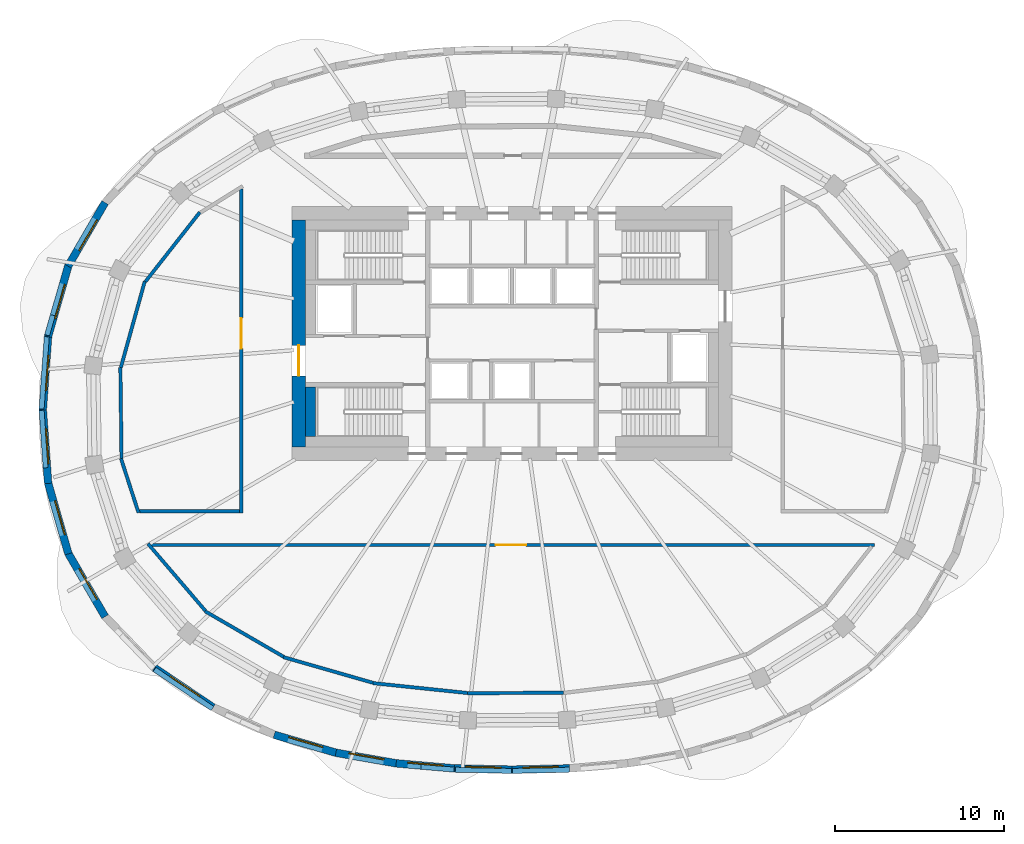
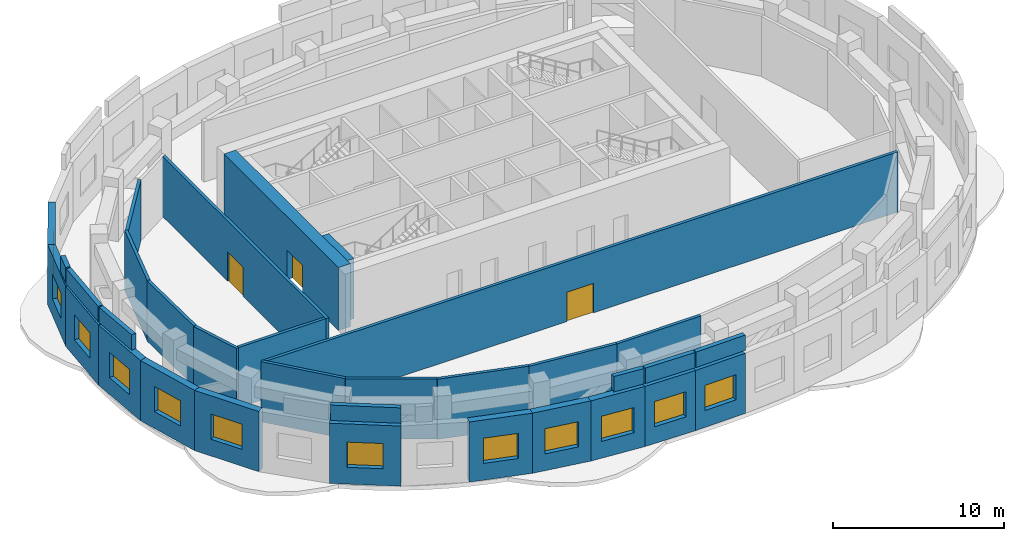
# One storey, part 4 of 9: 33 walls, 12 windows, 3 doors, 15 openings.
"""IFC4 building model written with IfcOpenShell, lengths in metres."""

import ifcopenshell
import ifcopenshell.guid

model = None  # the IFC model being written
_history = None  # IfcOwnerHistory: only IFC2X3 demands one
_inside = {}  # id of a spatial element -> (the spatial element, [elements in it])
_under = {}  # id of a project, library or spatial element -> (it, [spatial elements below it])
_declared = {}  # id of a project -> (the project, [libraries it declares])
_typed = {}  # id of a type object -> (the type object, [elements of that type])
_made_of = {}  # id of a material, layer set ... -> (it, [elements and type objects made of it])


def new_model(schema):
    """Start an empty IFC model of exactly this schema.

    Asked for "IFC4X3", IfcOpenShell would pick the latest addendum, in which some entities
    have other attributes; the version numbers below select the first issue.
    IFC2X3 requires an IfcOwnerHistory on every rooted entity: one is made here for all.
    """
    global model, _history
    if schema == "IFC4X3":
        model = ifcopenshell.file(schema_version=(4, 3, 0, 0))
    else:
        model = ifcopenshell.file(schema=schema)
    _inside.clear()
    _under.clear()
    _declared.clear()
    _typed.clear()
    _made_of.clear()
    _history = None
    if model.schema == "IFC2X3":
        org = make("IfcOrganization", Name="unknown")
        user = make(
            "IfcPersonAndOrganization",
            ThePerson=make("IfcPerson", FamilyName="unknown"),
            TheOrganization=org,
        )
        app = make(
            "IfcApplication",
            ApplicationDeveloper=org,
            Version="unknown",
            ApplicationFullName="unknown",
            ApplicationIdentifier="unknown",
        )
        _history = make(
            "IfcOwnerHistory",
            OwningUser=user,
            OwningApplication=app,
            ChangeAction="ADDED",
            CreationDate=0,
        )
    return model


def make(cls, **values):
    """One entity of the class cls with the attributes given. An attribute that is None is left unset."""
    return model.create_entity(
        cls, **{name: value for name, value in values.items() if value is not None}
    )


def rooted(cls, **values):
    """An entity with a GlobalId (a new one), such as an element, a storey or a relation."""
    return make(cls, GlobalId=ifcopenshell.guid.new(), OwnerHistory=_history, **values)


def si_unit(unit_type, name, prefix=None):
    """IfcSIUnit, for example si_unit("LENGTHUNIT", "METRE", prefix="MILLI")."""
    return make("IfcSIUnit", UnitType=unit_type, Prefix=prefix, Name=name)


def assignment(units):
    """IfcUnitAssignment: the units of a project."""
    return None if units is None else make("IfcUnitAssignment", Units=units)


def point(xyz):
    """IfcCartesianPoint."""
    return None if xyz is None else make("IfcCartesianPoint", Coordinates=xyz)


def direction(xyz):
    """IfcDirection."""
    return None if xyz is None else make("IfcDirection", DirectionRatios=xyz)


def frame(location, z_axis=None, x_axis=None):
    """IfcAxis2Placement3D, a coordinate frame: its origin and axes. An axis left out is left unset."""
    return make(
        "IfcAxis2Placement3D",
        Location=point(location),
        Axis=direction(z_axis),
        RefDirection=direction(x_axis),
    )


def frame_2d(location, x_axis=None):
    """IfcAxis2Placement2D, a coordinate frame in the plane: its origin and x axis."""
    return make(
        "IfcAxis2Placement2D", Location=point(location), RefDirection=direction(x_axis)
    )


def origin():
    """The frame at (0, 0, 0) with its axes left unset."""
    return frame((0.0, 0.0, 0.0))


def place(relative_to, where):
    """IfcLocalPlacement: puts the frame where relative to a parent placement (None: the world)."""
    return make(
        "IfcLocalPlacement", PlacementRelTo=relative_to, RelativePlacement=where
    )


def context(
    kind, dimensions, precision=None, world=None, true_north=None, identifier=None
):
    """IfcGeometricRepresentationContext, for example the 3D "Model" context."""
    return make(
        "IfcGeometricRepresentationContext",
        ContextIdentifier=identifier,
        ContextType=kind,
        CoordinateSpaceDimension=dimensions,
        Precision=precision,
        WorldCoordinateSystem=world,
        TrueNorth=true_north,
    )


def subcontext(parent, identifier, kind, view, scale=None):
    """IfcGeometricRepresentationSubContext, for example "Body" below "Model"."""
    return make(
        "IfcGeometricRepresentationSubContext",
        ContextIdentifier=identifier,
        ContextType=kind,
        ParentContext=parent,
        TargetScale=scale,
        TargetView=view,
    )


def project(units=None, contexts=None):
    """IfcProject with its units and contexts."""
    return rooted(
        "IfcProject",
        Name="project",
        RepresentationContexts=contexts,
        UnitsInContext=assignment(units),
    )


def spatial(cls, under=None, at=None, **own):
    """A site, building, storey or space (cls), placed at a placement, below another one or the project."""
    s = rooted(cls, ObjectPlacement=at, **own)
    if under is not None:
        _under.setdefault(under.id(), (under, []))[1].append(s)
    return s


def profile(cls, at=None, kind="AREA", **sizes):
    """A parametric profile (cls). Its sizes go by their IFC names, for example OverallWidth=200.0."""
    return make(cls, ProfileType=kind, Position=at, **sizes)


def rectangle(**sizes):
    """IfcRectangleProfileDef."""
    return profile("IfcRectangleProfileDef", **sizes)


def extrude(swept, where, along, depth):
    """IfcExtrudedAreaSolid: the profile swept, set in the frame where, extruded along a direction by depth."""
    return make(
        "IfcExtrudedAreaSolid",
        SweptArea=swept,
        Position=where,
        ExtrudedDirection=direction(along),
        Depth=depth,
    )


def shape(context_of_items, identifier, shape_type, items):
    """IfcShapeRepresentation: the items that make up one representation, for example the "Body"."""
    return make(
        "IfcShapeRepresentation",
        ContextOfItems=context_of_items,
        RepresentationIdentifier=identifier,
        RepresentationType=shape_type,
        Items=items,
    )


def material(Name=None, Category=None):
    """IfcMaterial."""
    return make("IfcMaterial", Name=Name, Category=Category)


def layer(
    of_material, thickness, ventilated=None, Name=None, Category=None, Priority=None
):
    """IfcMaterialLayer: one layer of a wall or slab, of a material (None: an air gap)."""
    return make(
        "IfcMaterialLayer",
        Material=of_material,
        LayerThickness=thickness,
        IsVentilated=ventilated,
        Name=Name,
        Category=Category,
        Priority=Priority,
    )


def layer_set(layers, Name=None):
    """IfcMaterialLayerSet."""
    return make("IfcMaterialLayerSet", MaterialLayers=layers, LayerSetName=Name)


def made_of(thing, what):
    """Note that an element or type object is made of a material, layer set ...; save() writes the relation."""
    if what is not None:
        _made_of.setdefault(what.id(), (what, []))[1].append(thing)
    return thing


def type_object(cls, material=None, **own):
    """A type object (cls), such as IfcWallType, which elements share."""
    return made_of(rooted(cls, **own), material)


def element(
    cls,
    number,
    at=None,
    inside=None,
    cuts=None,
    type_object=None,
    material=None,
    context=None,
    identifier="Body",
    shape_type=None,
    held_by="IfcProductDefinitionShape",
    body=None,
    shapes=None,
    **own,
):
    """One element of the class cls, such as IfcWall. Its Tag is "e" and its number.

    at: its placement. inside: the storey or other place that contains it. cuts: it is an
    opening in that element (IfcRelVoidsElement). A single representation is given by context,
    identifier, shape_type and body (its items); several are given by shapes. held_by: the class
    of the entity that holds the representations. save() writes the other relations.
    """
    e = rooted(cls, Tag="e%d" % number, ObjectPlacement=at, **own)
    if body is not None:
        shapes = [shape(context, identifier, shape_type, body)]
    if shapes is not None:
        e.Representation = make(held_by, Representations=shapes)
    if inside is not None:
        _inside.setdefault(inside.id(), (inside, []))[1].append(e)
    if cuts is not None:
        rooted(
            "IfcRelVoidsElement", RelatingBuildingElement=cuts, RelatedOpeningElement=e
        )
    if type_object is not None:
        _typed.setdefault(type_object.id(), (type_object, []))[1].append(e)
    return made_of(e, material)


def fill(opening, filler):
    """IfcRelFillsElement: the door or window that sits in an opening."""
    return rooted(
        "IfcRelFillsElement",
        RelatingOpeningElement=opening,
        RelatedBuildingElement=filler,
    )


def aggregate(whole, parts):
    """IfcRelAggregates: a whole, such as a stair, and the parts it consists of."""
    return rooted("IfcRelAggregates", RelatingObject=whole, RelatedObjects=parts)


def save(model, path):
    """Write the relations noted so far, then the file.

    IfcRelAggregates (storeys below a building ...), IfcRelContainedInSpatialStructure (elements
    in a storey), IfcRelDefinesByType, IfcRelAssociatesMaterial and IfcRelDeclares: one each for
    every whole, place, type object, material and project.
    """
    for whole, parts in _under.values():
        aggregate(whole, parts)
    for where, things in _inside.values():
        rooted(
            "IfcRelContainedInSpatialStructure",
            RelatedElements=things,
            RelatingStructure=where,
        )
    for kind, things in _typed.values():
        rooted("IfcRelDefinesByType", RelatedObjects=things, RelatingType=kind)
    for what, things in _made_of.values():
        rooted("IfcRelAssociatesMaterial", RelatedObjects=things, RelatingMaterial=what)
    for by, libraries in _declared.values():
        rooted("IfcRelDeclares", RelatingContext=by, RelatedDefinitions=libraries)
    model.write(path)


model = new_model("IFC4")

# Units and contexts
model_context = context("Model", 3, precision=1e-05, world=origin(), true_north=direction((0.0, 1.0)))
body_context = subcontext(model_context, "Body", "Model", "MODEL_VIEW")
ifc_project = project(units=[si_unit("LENGTHUNIT", "METRE"), si_unit("AREAUNIT", "SQUARE_METRE"), si_unit("VOLUMEUNIT", "CUBIC_METRE"), si_unit("PLANEANGLEUNIT", "RADIAN"), si_unit("MASSUNIT", "GRAM", prefix="KILO")], contexts=[model_context])

# Site, building, storey
site_placement = place(None, origin())
site = spatial("IfcSite", under=ifc_project, at=site_placement, CompositionType="ELEMENT")
building_placement = place(site_placement, origin())
building = spatial("IfcBuilding", under=site, at=building_placement, Name="Rubra Terraces Tower", CompositionType="ELEMENT")
storey_placement = place(building_placement, frame((0.0, 0.0, 216.89990234375)))
storey = spatial("IfcBuildingStorey", under=building, at=storey_placement, Name="L53", CompositionType="ELEMENT", Elevation=216.89990234375)

# Wall, opening, window
ifc_material_1 = material(Name="Brick masonry red-brown", Category="masonry")
ifc_layer_1 = layer(ifc_material_1, 0.449951171875)
ifc_layer_set_1 = layer_set([ifc_layer_1], Name="Brick masonry red-brown")
wall_type_1 = type_object("IfcWallType", Name="Brick facade wall 450", PredefinedType="SOLIDWALL", material=ifc_layer_set_1)
wall_1_placement = place(storey_placement, frame((-24.04443359375, 12.237060546875, 0.0), z_axis=(0.0, 0.0, 1.0), x_axis=(-0.502203169453, -0.864749661227, 0.0)))
wall_1 = element("IfcWall", 1, at=wall_1_placement, inside=storey, type_object=wall_type_1, Name="Facade wall L53 bay 18", PredefinedType="SOLIDWALL", context=body_context, shape_type="SweptSolid", body=[
    extrude(rectangle(XDim=4.352783203125, YDim=0.449951171875, at=frame_2d((2.17626953125, 0.0))), origin(), (0.0, 0.0, 1.0), 4.300048828125),
])
opening_1_placement = place(wall_1_placement, frame((1.12646484375, 0.0, 1.199951171875)))
opening_1 = element("IfcOpeningElement", 2, at=opening_1_placement, cuts=wall_1, Name="Opening W4", PredefinedType="OPENING", context=body_context, shape_type="SweptSolid", body=[
    extrude(rectangle(XDim=2.10009765625, YDim=1.800048828125, at=frame_2d((1.050048828125, 0.89990234375))), frame((0.0, 0.23486328125, 0.0), z_axis=(0.0, -1.0, 0.0), x_axis=(1.0, 0.0, 0.0)), (0.0, 0.0, 1.0), 0.469970703125),
])
ifc_material_2 = material(Name="Clear glass in aluminium frame", Category="aluminium")
window_type = type_object("IfcWindowType", Name="Louvred plant window 2100 x 1800", PartitioningType="SINGLE_PANEL", PredefinedType="WINDOW", material=ifc_material_2)
window_1_placement = place(opening_1_placement, origin())
window_1 = element("IfcWindow", 3, at=window_1_placement, inside=storey, type_object=window_type, Name="Window L53 bay 18", OverallHeight=1.800048828125, OverallWidth=2.10009765625, PartitioningType="SINGLE_PANEL", PredefinedType="WINDOW", context=body_context, shape_type="SweptSolid", body=[
    extrude(rectangle(XDim=2.10009765625, YDim=1.800048828125, at=frame_2d((1.050048828125, 0.89990234375))), frame((0.0, 0.135009765625, 0.0), z_axis=(0.0, -1.0, 0.0), x_axis=(1.0, 0.0, 0.0)), (0.0, 0.0, 1.0), 0.06005859375),
])
fill(opening_1, window_1)

wall_2_placement = place(storey_placement, frame((-26.208740234375, 8.523681640625, 0.0), z_axis=(0.0, 0.0, 1.0), x_axis=(-0.276281679347, -0.961076705397, 0.0)))
wall_2 = element("IfcWall", 4, at=wall_2_placement, inside=storey, type_object=wall_type_1, Name="Facade wall L53 bay 19", PredefinedType="SOLIDWALL", context=body_context, shape_type="SweptSolid", body=[
    extrude(rectangle(XDim=4.37939453125, YDim=0.449951171875, at=frame_2d((2.189697265625, 0.0))), origin(), (0.0, 0.0, 1.0), 4.300048828125),
])
opening_2_placement = place(wall_2_placement, frame((1.1396484375, 0.0, 1.199951171875)))
opening_2 = element("IfcOpeningElement", 5, at=opening_2_placement, cuts=wall_2, Name="Opening W4", PredefinedType="OPENING", context=body_context, shape_type="SweptSolid", body=[
    extrude(rectangle(XDim=2.10009765625, YDim=1.800048828125, at=frame_2d((1.050048828125, 0.89990234375))), frame((0.0, 0.23486328125, 0.0), z_axis=(0.0, -1.0, 0.0), x_axis=(1.0, 0.0, 0.0)), (0.0, 0.0, 1.0), 0.469970703125),
])
window_2_placement = place(opening_2_placement, origin())
window_2 = element("IfcWindow", 6, at=window_2_placement, inside=storey, type_object=window_type, Name="Window L53 bay 19", OverallHeight=1.800048828125, OverallWidth=2.10009765625, PartitioningType="SINGLE_PANEL", PredefinedType="WINDOW", context=body_context, shape_type="SweptSolid", body=[
    extrude(rectangle(XDim=2.10009765625, YDim=1.800048828125, at=frame_2d((1.050048828125, 0.89990234375))), frame((0.0, 0.135009765625, 0.0), z_axis=(0.0, -1.0, 0.0), x_axis=(1.0, 0.0, 0.0)), (0.0, 0.0, 1.0), 0.06005859375),
])
fill(opening_2, window_2)

wall_3_placement = place(storey_placement, frame((-27.41064453125, 4.36083984375, 0.0), z_axis=(0.0, 0.0, 1.0), x_axis=(-0.071768934506, -0.997421285135, 0.0)))
wall_3 = element("IfcWall", 7, at=wall_3_placement, inside=storey, type_object=wall_type_1, Name="Facade wall L53 bay 20", PredefinedType="SOLIDWALL", context=body_context, shape_type="SweptSolid", body=[
    extrude(rectangle(XDim=4.38818359375, YDim=0.449951171875, at=frame_2d((2.194091796875, 0.0))), origin(), (0.0, 0.0, 1.0), 4.300048828125),
])
opening_3_placement = place(wall_3_placement, frame((1.144287109375, 0.0, 1.199951171875)))
opening_3 = element("IfcOpeningElement", 8, at=opening_3_placement, cuts=wall_3, Name="Opening W4", PredefinedType="OPENING", context=body_context, shape_type="SweptSolid", body=[
    extrude(rectangle(XDim=2.10009765625, YDim=1.800048828125, at=frame_2d((1.050048828125, 0.89990234375))), frame((0.0, 0.23486328125, 0.0), z_axis=(0.0, -1.0, 0.0), x_axis=(1.0, 0.0, 0.0)), (0.0, 0.0, 1.0), 0.469970703125),
])
window_3_placement = place(opening_3_placement, origin())
window_3 = element("IfcWindow", 9, at=window_3_placement, inside=storey, type_object=window_type, Name="Window L53 bay 20", OverallHeight=1.800048828125, OverallWidth=2.10009765625, PartitioningType="SINGLE_PANEL", PredefinedType="WINDOW", context=body_context, shape_type="SweptSolid", body=[
    extrude(rectangle(XDim=2.10009765625, YDim=1.800048828125, at=frame_2d((1.050048828125, 0.89990234375))), frame((0.0, 0.135009765625, 0.0), z_axis=(0.0, -1.0, 0.0), x_axis=(1.0, 0.0, 0.0)), (0.0, 0.0, 1.0), 0.06005859375),
])
fill(opening_3, window_3)

wall_4_placement = place(storey_placement, frame((-27.7255859375, 0.01611328125, 0.0), z_axis=(0.0, 0.0, 1.0), x_axis=(0.071768934506, -0.997421285135, 0.0)))
wall_4 = element("IfcWall", 10, at=wall_4_placement, inside=storey, type_object=wall_type_1, Name="Facade wall L53 bay 21", PredefinedType="SOLIDWALL", context=body_context, shape_type="SweptSolid", body=[
    extrude(rectangle(XDim=4.38818359375, YDim=0.449951171875, at=frame_2d((2.194091796875, 0.0))), origin(), (0.0, 0.0, 1.0), 4.300048828125),
])
opening_4_placement = place(wall_4_placement, frame((1.144287109375, 0.0, 1.199951171875)))
opening_4 = element("IfcOpeningElement", 11, at=opening_4_placement, cuts=wall_4, Name="Opening W4", PredefinedType="OPENING", context=body_context, shape_type="SweptSolid", body=[
    extrude(rectangle(XDim=2.10009765625, YDim=1.800048828125, at=frame_2d((1.050048828125, 0.89990234375))), frame((0.0, 0.23486328125, 0.0), z_axis=(0.0, -1.0, 0.0), x_axis=(1.0, 0.0, 0.0)), (0.0, 0.0, 1.0), 0.469970703125),
])
window_4_placement = place(opening_4_placement, origin())
window_4 = element("IfcWindow", 12, at=window_4_placement, inside=storey, type_object=window_type, Name="Window L53 bay 21", OverallHeight=1.800048828125, OverallWidth=2.10009765625, PartitioningType="SINGLE_PANEL", PredefinedType="WINDOW", context=body_context, shape_type="SweptSolid", body=[
    extrude(rectangle(XDim=2.10009765625, YDim=1.800048828125, at=frame_2d((1.050048828125, 0.89990234375))), frame((0.0, 0.135009765625, 0.0), z_axis=(0.0, -1.0, 0.0), x_axis=(1.0, 0.0, 0.0)), (0.0, 0.0, 1.0), 0.06005859375),
])
fill(opening_4, window_4)

wall_5_placement = place(storey_placement, frame((-27.418701171875, -4.314697265625, 0.0), z_axis=(0.0, 0.0, 1.0), x_axis=(0.276281679347, -0.961076705397, 0.0)))
wall_5 = element("IfcWall", 13, at=wall_5_placement, inside=storey, type_object=wall_type_1, Name="Facade wall L53 bay 22", PredefinedType="SOLIDWALL", context=body_context, shape_type="SweptSolid", body=[
    extrude(rectangle(XDim=4.37939453125, YDim=0.449951171875, at=frame_2d((2.189697265625, 0.0))), origin(), (0.0, 0.0, 1.0), 4.300048828125),
])
opening_5_placement = place(wall_5_placement, frame((1.1396484375, 0.0, 1.199951171875)))
opening_5 = element("IfcOpeningElement", 14, at=opening_5_placement, cuts=wall_5, Name="Opening W4", PredefinedType="OPENING", context=body_context, shape_type="SweptSolid", body=[
    extrude(rectangle(XDim=2.10009765625, YDim=1.800048828125, at=frame_2d((1.050048828125, 0.89990234375))), frame((0.0, 0.23486328125, 0.0), z_axis=(0.0, -1.0, 0.0), x_axis=(1.0, 0.0, 0.0)), (0.0, 0.0, 1.0), 0.469970703125),
])
window_5_placement = place(opening_5_placement, origin())
window_5 = element("IfcWindow", 15, at=window_5_placement, inside=storey, type_object=window_type, Name="Window L53 bay 22", OverallHeight=1.800048828125, OverallWidth=2.10009765625, PartitioningType="SINGLE_PANEL", PredefinedType="WINDOW", context=body_context, shape_type="SweptSolid", body=[
    extrude(rectangle(XDim=2.10009765625, YDim=1.800048828125, at=frame_2d((1.050048828125, 0.89990234375))), frame((0.0, 0.135009765625, 0.0), z_axis=(0.0, -1.0, 0.0), x_axis=(1.0, 0.0, 0.0)), (0.0, 0.0, 1.0), 0.06005859375),
])
fill(opening_5, window_5)

wall_6_placement = place(storey_placement, frame((-26.23046875, -8.472900390625, 0.0), z_axis=(0.0, 0.0, 1.0), x_axis=(0.502203169453, -0.864749661227, 0.0)))
wall_6 = element("IfcWall", 16, at=wall_6_placement, inside=storey, type_object=wall_type_1, Name="Facade wall L53 bay 23", PredefinedType="SOLIDWALL", context=body_context, shape_type="SweptSolid", body=[
    extrude(rectangle(XDim=4.352783203125, YDim=0.449951171875, at=frame_2d((2.17626953125, 0.0))), origin(), (0.0, 0.0, 1.0), 4.300048828125),
])
opening_6_placement = place(wall_6_placement, frame((1.12646484375, 0.0, 1.199951171875)))
opening_6 = element("IfcOpeningElement", 17, at=opening_6_placement, cuts=wall_6, Name="Opening W4", PredefinedType="OPENING", context=body_context, shape_type="SweptSolid", body=[
    extrude(rectangle(XDim=2.10009765625, YDim=1.800048828125, at=frame_2d((1.050048828125, 0.89990234375))), frame((0.0, 0.23486328125, 0.0), z_axis=(0.0, -1.0, 0.0), x_axis=(1.0, 0.0, 0.0)), (0.0, 0.0, 1.0), 0.469970703125),
])
window_6_placement = place(opening_6_placement, origin())
window_6 = element("IfcWindow", 18, at=window_6_placement, inside=storey, type_object=window_type, Name="Window L53 bay 23", OverallHeight=1.800048828125, OverallWidth=2.10009765625, PartitioningType="SINGLE_PANEL", PredefinedType="WINDOW", context=body_context, shape_type="SweptSolid", body=[
    extrude(rectangle(XDim=2.10009765625, YDim=1.800048828125, at=frame_2d((1.050048828125, 0.89990234375))), frame((0.0, 0.135009765625, 0.0), z_axis=(0.0, -1.0, 0.0), x_axis=(1.0, 0.0, 0.0)), (0.0, 0.0, 1.0), 0.06005859375),
])
fill(opening_6, window_6)

wall_7_placement = place(storey_placement, frame((-21.130126953125, -15.257568359375, 0.0), z_axis=(0.0, 0.0, 1.0), x_axis=(0.829077786947, -0.559133278557, 0.0)))
wall_7 = element("IfcWall", 19, at=wall_7_placement, inside=storey, type_object=wall_type_1, Name="Facade wall L53 bay 25", PredefinedType="SOLIDWALL", context=body_context, shape_type="SweptSolid", body=[
    extrude(rectangle(XDim=4.1865234375, YDim=0.449951171875, at=frame_2d((2.09326171875, 0.0))), origin(), (0.0, 0.0, 1.0), 4.300048828125),
])
opening_7_placement = place(wall_7_placement, frame((1.043212890625, 0.0, 1.199951171875)))
opening_7 = element("IfcOpeningElement", 20, at=opening_7_placement, cuts=wall_7, Name="Opening W4", PredefinedType="OPENING", context=body_context, shape_type="SweptSolid", body=[
    extrude(rectangle(XDim=2.10009765625, YDim=1.800048828125, at=frame_2d((1.050048828125, 0.89990234375))), frame((0.0, 0.23486328125, 0.0), z_axis=(0.0, -1.0, 0.0), x_axis=(1.0, 0.0, 0.0)), (0.0, 0.0, 1.0), 0.469970703125),
])
window_7_placement = place(opening_7_placement, origin())
window_7 = element("IfcWindow", 21, at=window_7_placement, inside=storey, type_object=window_type, Name="Window L53 bay 25", OverallHeight=1.800048828125, OverallWidth=2.10009765625, PartitioningType="SINGLE_PANEL", PredefinedType="WINDOW", context=body_context, shape_type="SweptSolid", body=[
    extrude(rectangle(XDim=2.10009765625, YDim=1.800048828125, at=frame_2d((1.050048828125, 0.89990234375))), frame((0.0, 0.135009765625, 0.0), z_axis=(0.0, -1.0, 0.0), x_axis=(1.0, 0.0, 0.0)), (0.0, 0.0, 1.0), 0.06005859375),
])
fill(opening_7, window_7)

wall_8_placement = place(storey_placement, frame((-14.052978515625, -19.212890625, 0.0), z_axis=(0.0, 0.0, 1.0), x_axis=(0.960131452472, -0.279548911594, 0.0)))
wall_8 = element("IfcWall", 22, at=wall_8_placement, inside=storey, type_object=wall_type_1, Name="Facade wall L53 bay 27", PredefinedType="SOLIDWALL", context=body_context, shape_type="SweptSolid", body=[
    extrude(rectangle(XDim=3.824462890625, YDim=0.449951171875, at=frame_2d((1.912109375, 0.0))), origin(), (0.0, 0.0, 1.0), 4.300048828125),
])
opening_8_placement = place(wall_8_placement, frame((0.8623046875, 0.0, 1.199951171875)))
opening_8 = element("IfcOpeningElement", 23, at=opening_8_placement, cuts=wall_8, Name="Opening W4", PredefinedType="OPENING", context=body_context, shape_type="SweptSolid", body=[
    extrude(rectangle(XDim=2.10009765625, YDim=1.800048828125, at=frame_2d((1.050048828125, 0.89990234375))), frame((0.0, 0.23486328125, 0.0), z_axis=(0.0, -1.0, 0.0), x_axis=(1.0, 0.0, 0.0)), (0.0, 0.0, 1.0), 0.469970703125),
])
window_8_placement = place(opening_8_placement, origin())
window_8 = element("IfcWindow", 24, at=window_8_placement, inside=storey, type_object=window_type, Name="Window L53 bay 27", OverallHeight=1.800048828125, OverallWidth=2.10009765625, PartitioningType="SINGLE_PANEL", PredefinedType="WINDOW", context=body_context, shape_type="SweptSolid", body=[
    extrude(rectangle(XDim=2.10009765625, YDim=1.800048828125, at=frame_2d((1.050048828125, 0.89990234375))), frame((0.0, 0.135009765625, 0.0), z_axis=(0.0, -1.0, 0.0), x_axis=(1.0, 0.0, 0.0)), (0.0, 0.0, 1.0), 0.06005859375),
])
fill(opening_8, window_8)

wall_9_placement = place(storey_placement, frame((-10.405029296875, -20.2763671875, 0.0), z_axis=(0.0, 0.0, 1.0), x_axis=(0.984962239205, -0.172769752386, 0.0)))
wall_9 = element("IfcWall", 25, at=wall_9_placement, inside=storey, type_object=wall_type_1, Name="Facade wall L53 bay 28", PredefinedType="SOLIDWALL", context=body_context, shape_type="SweptSolid", body=[
    extrude(rectangle(XDim=3.634521484375, YDim=0.449951171875, at=frame_2d((1.8173828125, 0.0))), origin(), (0.0, 0.0, 1.0), 4.300048828125),
])
opening_9_placement = place(wall_9_placement, frame((0.767333984375, 0.0, 1.199951171875)))
opening_9 = element("IfcOpeningElement", 26, at=opening_9_placement, cuts=wall_9, Name="Opening W4", PredefinedType="OPENING", context=body_context, shape_type="SweptSolid", body=[
    extrude(rectangle(XDim=2.10009765625, YDim=1.800048828125, at=frame_2d((1.050048828125, 0.89990234375))), frame((0.0, 0.23486328125, 0.0), z_axis=(0.0, -1.0, 0.0), x_axis=(1.0, 0.0, 0.0)), (0.0, 0.0, 1.0), 0.469970703125),
])
window_9_placement = place(opening_9_placement, origin())
window_9 = element("IfcWindow", 27, at=window_9_placement, inside=storey, type_object=window_type, Name="Window L53 bay 28", OverallHeight=1.800048828125, OverallWidth=2.10009765625, PartitioningType="SINGLE_PANEL", PredefinedType="WINDOW", context=body_context, shape_type="SweptSolid", body=[
    extrude(rectangle(XDim=2.10009765625, YDim=1.800048828125, at=frame_2d((1.050048828125, 0.89990234375))), frame((0.0, 0.135009765625, 0.0), z_axis=(0.0, -1.0, 0.0), x_axis=(1.0, 0.0, 0.0)), (0.0, 0.0, 1.0), 0.06005859375),
])
fill(opening_9, window_9)

wall_10_placement = place(storey_placement, frame((-6.844482421875, -20.90185546875, 0.0), z_axis=(0.0, 0.0, 1.0), x_axis=(0.99625818993, -0.086426957587, 0.0)))
wall_10 = element("IfcWall", 28, at=wall_10_placement, inside=storey, type_object=wall_type_1, Name="Facade wall L53 bay 29", PredefinedType="SOLIDWALL", context=body_context, shape_type="SweptSolid", body=[
    extrude(rectangle(XDim=3.48291015625, YDim=0.449951171875, at=frame_2d((1.741455078125, 0.0))), origin(), (0.0, 0.0, 1.0), 4.300048828125),
])
opening_10_placement = place(wall_10_placement, frame((0.69140625, 0.0, 1.199951171875)))
opening_10 = element("IfcOpeningElement", 29, at=opening_10_placement, cuts=wall_10, Name="Opening W4", PredefinedType="OPENING", context=body_context, shape_type="SweptSolid", body=[
    extrude(rectangle(XDim=2.10009765625, YDim=1.800048828125, at=frame_2d((1.050048828125, 0.89990234375))), frame((0.0, 0.23486328125, 0.0), z_axis=(0.0, -1.0, 0.0), x_axis=(1.0, 0.0, 0.0)), (0.0, 0.0, 1.0), 0.469970703125),
])
window_10_placement = place(opening_10_placement, origin())
window_10 = element("IfcWindow", 30, at=window_10_placement, inside=storey, type_object=window_type, Name="Window L53 bay 29", OverallHeight=1.800048828125, OverallWidth=2.10009765625, PartitioningType="SINGLE_PANEL", PredefinedType="WINDOW", context=body_context, shape_type="SweptSolid", body=[
    extrude(rectangle(XDim=2.10009765625, YDim=1.800048828125, at=frame_2d((1.050048828125, 0.89990234375))), frame((0.0, 0.135009765625, 0.0), z_axis=(0.0, -1.0, 0.0), x_axis=(1.0, 0.0, 0.0)), (0.0, 0.0, 1.0), 0.06005859375),
])
fill(opening_10, window_10)

wall_11_placement = place(storey_placement, frame((-3.38916015625, -21.201904296875, 0.0), z_axis=(0.0, 0.0, 1.0), x_axis=(0.999768789703, -0.021502723933, 0.0)))
wall_11 = element("IfcWall", 31, at=wall_11_placement, inside=storey, type_object=wall_type_1, Name="Facade wall L53 bay 30", PredefinedType="SOLIDWALL", context=body_context, shape_type="SweptSolid", body=[
    extrude(rectangle(XDim=3.394775390625, YDim=0.449951171875, at=frame_2d((1.697265625, 0.0))), origin(), (0.0, 0.0, 1.0), 4.300048828125),
])
opening_11_placement = place(wall_11_placement, frame((0.6474609375, 0.0, 1.199951171875)))
opening_11 = element("IfcOpeningElement", 32, at=opening_11_placement, cuts=wall_11, Name="Opening W4", PredefinedType="OPENING", context=body_context, shape_type="SweptSolid", body=[
    extrude(rectangle(XDim=2.10009765625, YDim=1.800048828125, at=frame_2d((1.050048828125, 0.89990234375))), frame((0.0, 0.23486328125, 0.0), z_axis=(0.0, -1.0, 0.0), x_axis=(1.0, 0.0, 0.0)), (0.0, 0.0, 1.0), 0.469970703125),
])
window_11_placement = place(opening_11_placement, origin())
window_11 = element("IfcWindow", 33, at=window_11_placement, inside=storey, type_object=window_type, Name="Window L53 bay 30", OverallHeight=1.800048828125, OverallWidth=2.10009765625, PartitioningType="SINGLE_PANEL", PredefinedType="WINDOW", context=body_context, shape_type="SweptSolid", body=[
    extrude(rectangle(XDim=2.10009765625, YDim=1.800048828125, at=frame_2d((1.050048828125, 0.89990234375))), frame((0.0, 0.135009765625, 0.0), z_axis=(0.0, -1.0, 0.0), x_axis=(1.0, 0.0, 0.0)), (0.0, 0.0, 1.0), 0.06005859375),
])
fill(opening_11, window_11)

wall_12_placement = place(storey_placement, frame((-0.0048828125, -21.27490234375, 0.0), z_axis=(0.0, 0.0, 1.0), x_axis=(0.999768789703, 0.021502723933, 0.0)))
wall_12 = element("IfcWall", 34, at=wall_12_placement, inside=storey, type_object=wall_type_1, Name="Facade wall L53 bay 31", PredefinedType="SOLIDWALL", context=body_context, shape_type="SweptSolid", body=[
    extrude(rectangle(XDim=3.394775390625, YDim=0.449951171875, at=frame_2d((1.697265625, 0.0))), origin(), (0.0, 0.0, 1.0), 4.300048828125),
])
opening_12_placement = place(wall_12_placement, frame((0.6474609375, 0.0, 1.199951171875)))
opening_12 = element("IfcOpeningElement", 35, at=opening_12_placement, cuts=wall_12, Name="Opening W4", PredefinedType="OPENING", context=body_context, shape_type="SweptSolid", body=[
    extrude(rectangle(XDim=2.10009765625, YDim=1.800048828125, at=frame_2d((1.050048828125, 0.89990234375))), frame((0.0, 0.23486328125, 0.0), z_axis=(0.0, -1.0, 0.0), x_axis=(1.0, 0.0, 0.0)), (0.0, 0.0, 1.0), 0.469970703125),
])
window_12_placement = place(opening_12_placement, origin())
window_12 = element("IfcWindow", 36, at=window_12_placement, inside=storey, type_object=window_type, Name="Window L53 bay 31", OverallHeight=1.800048828125, OverallWidth=2.10009765625, PartitioningType="SINGLE_PANEL", PredefinedType="WINDOW", context=body_context, shape_type="SweptSolid", body=[
    extrude(rectangle(XDim=2.10009765625, YDim=1.800048828125, at=frame_2d((1.050048828125, 0.89990234375))), frame((0.0, 0.135009765625, 0.0), z_axis=(0.0, -1.0, 0.0), x_axis=(1.0, 0.0, 0.0)), (0.0, 0.0, 1.0), 0.06005859375),
])
fill(opening_12, window_12)

# Walls
ifc_layer_2 = layer(ifc_material_1, 0.300048828125)
ifc_layer_set_2 = layer_set([ifc_layer_2], Name="Brick masonry red-brown")
wall_type_2 = type_object("IfcWallType", Name="Brick parapet 300", PredefinedType="PARAPET", material=ifc_layer_set_2)
wall_13_placement = place(storey_placement, frame((-27.13427734375, 5.576416015625, 4.5), z_axis=(0.0, 0.0, 1.0), x_axis=(-0.276163011399, -0.961110811059, 0.0)))
element("IfcWall", 37, at=wall_13_placement, inside=storey, type_object=wall_type_2, Name="Parapet L53 bay 19", PredefinedType="PARAPET", context=body_context, shape_type="SweptSolid", body=[
    extrude(rectangle(XDim=1.229736328125, YDim=0.300048828125, at=frame_2d((0.61474609375, 0.0))), origin(), (0.0, 0.0, 1.0), 1.10009765625),
])
wall_14_placement = place(storey_placement, frame((-27.48974609375, 4.304931640625, 4.5), z_axis=(0.0, 0.0, 1.0), x_axis=(-0.071782738279, -0.997420291795, 0.0)))
element("IfcWall", 38, at=wall_14_placement, inside=storey, type_object=wall_type_2, Name="Parapet L53 bay 20", PredefinedType="PARAPET", context=body_context, shape_type="SweptSolid", body=[
    extrude(rectangle(XDim=4.275146484375, YDim=0.300048828125, at=frame_2d((2.1376953125, 0.0))), origin(), (0.0, 0.0, 1.0), 1.10009765625),
])
wall_15_placement = place(storey_placement, frame((-27.796630859375, -0.040771484375, 4.5), z_axis=(0.0, 0.0, 1.0), x_axis=(0.071796990268, -0.997419266, 0.0)))
element("IfcWall", 39, at=wall_15_placement, inside=storey, type_object=wall_type_2, Name="Parapet L53 bay 21", PredefinedType="PARAPET", context=body_context, shape_type="SweptSolid", body=[
    extrude(rectangle(XDim=3.4072265625, YDim=0.300048828125, at=frame_2d((1.70361328125, 0.0))), origin(), (0.0, 0.0, 1.0), 1.10009765625),
])
wall_16_placement = place(storey_placement, frame((-21.12109375, -15.35400390625, 4.5), z_axis=(0.0, 0.0, 1.0), x_axis=(0.829051710838, -0.559171942033, 0.0)))
element("IfcWall", 40, at=wall_16_placement, inside=storey, type_object=wall_type_2, Name="Parapet L53 bay 25", PredefinedType="PARAPET", context=body_context, shape_type="SweptSolid", body=[
    extrude(rectangle(XDim=4.125, YDim=0.300048828125, at=frame_2d((2.0625, 0.0))), origin(), (0.0, 0.0, 1.0), 1.10009765625),
])
wall_17_placement = place(storey_placement, frame((-5.370361328125, -21.10498046875, 4.5), z_axis=(0.0, 0.0, 1.0), x_axis=(0.996256019863, -0.086451968666, 0.0)))
element("IfcWall", 41, at=wall_17_placement, inside=storey, type_object=wall_type_2, Name="Parapet L53 bay 29", PredefinedType="PARAPET", context=body_context, shape_type="SweptSolid", body=[
    extrude(rectangle(XDim=1.95703125, YDim=0.300048828125, at=frame_2d((0.978515625, 0.0))), origin(), (0.0, 0.0, 1.0), 1.10009765625),
])
wall_18_placement = place(storey_placement, frame((-3.35107421875, -21.27783203125, 4.5), z_axis=(0.0, 0.0, 1.0), x_axis=(0.99976924748, -0.021481429011, 0.0)))
element("IfcWall", 42, at=wall_18_placement, inside=storey, type_object=wall_type_2, Name="Parapet L53 bay 30", PredefinedType="PARAPET", context=body_context, shape_type="SweptSolid", body=[
    extrude(rectangle(XDim=3.318603515625, YDim=0.300048828125, at=frame_2d((1.6591796875, 0.0))), origin(), (0.0, 0.0, 1.0), 1.10009765625),
])
wall_19_placement = place(storey_placement, frame((0.033203125, -21.34912109375, 4.5), z_axis=(0.0, 0.0, 1.0), x_axis=(0.999770030988, 0.02144493268, 0.0)))
element("IfcWall", 43, at=wall_19_placement, inside=storey, type_object=wall_type_2, Name="Parapet L53 bay 31", PredefinedType="PARAPET", context=body_context, shape_type="SweptSolid", body=[
    extrude(rectangle(XDim=3.3583984375, YDim=0.300048828125, at=frame_2d((1.67919921875, 0.0))), origin(), (0.0, 0.0, 1.0), 1.10009765625),
])

# Wall, opening, door
ifc_material_3 = material(Name="Concrete C50", Category="concrete")
ifc_layer_3 = layer(ifc_material_3, 0.800048828125)
ifc_layer_set_3 = layer_set([ifc_layer_3], Name="Concrete C50")
wall_type_3 = type_object("IfcWallType", Name="CORE WALL 800 C50", PredefinedType="SHEAR", material=ifc_layer_set_3)
wall_20_placement = place(storey_placement, frame((-12.60009765625, -2.199951171875, 0.0), z_axis=(0.0, 0.0, 1.0), x_axis=(0.0, 1.0, 0.0)))
wall_20 = element("IfcWall", 44, at=wall_20_placement, inside=storey, type_object=wall_type_3, Name="CORE WALL W L53", PredefinedType="SHEAR", context=body_context, shape_type="SweptSolid", body=[
    extrude(rectangle(XDim=13.39990234375, YDim=0.800048828125, at=frame_2d((6.699951171875, 0.0))), origin(), (0.0, 0.0, 1.0), 4.5),
])
opening_13_placement = place(wall_20_placement, frame((4.199951171875, 0.0, 0.0)))
opening_13 = element("IfcOpeningElement", 45, at=opening_13_placement, cuts=wall_20, Name="Opening L53.C01", PredefinedType="OPENING", context=body_context, shape_type="SweptSolid", body=[
    extrude(rectangle(XDim=1.800048828125, YDim=2.10009765625, at=frame_2d((0.89990234375, 1.050048828125))), frame((0.0, 0.409912109375, 0.0), z_axis=(0.0, -1.0, 0.0), x_axis=(1.0, 0.0, 0.0)), (0.0, 0.0, 1.0), 0.820068359375),
])
ifc_material_4 = material(Name="Painted steel", Category="steel")
door_type_1 = type_object("IfcDoorType", Name="Fire door 1800x2100 double", OperationType="NOTDEFINED", PredefinedType="DOOR", material=ifc_material_4)
door_1_placement = place(opening_13_placement, origin())
door_1 = element("IfcDoor", 46, at=door_1_placement, inside=storey, type_object=door_type_1, Name="Core entrance door FF1", OperationType="DOUBLE_DOOR_SINGLE_SWING", OverallHeight=2.10009765625, OverallWidth=1.800048828125, PredefinedType="DOOR", context=body_context, shape_type="SweptSolid", body=[
    extrude(rectangle(XDim=1.800048828125, YDim=2.10009765625, at=frame_2d((0.89990234375, 1.050048828125))), frame((0.0, 0.02490234375, 0.0), z_axis=(0.0, -1.0, 0.0), x_axis=(1.0, 0.0, 0.0)), (0.0, 0.0, 1.0), 0.050048828125),
])
fill(opening_13, door_1)

# Walls
ifc_material_5 = material(Name="Concrete C40", Category="concrete")
ifc_layer_4 = layer(ifc_material_5, 0.60009765625)
ifc_layer_set_4 = layer_set([ifc_layer_4], Name="Concrete C40")
wall_type_4 = type_object("IfcWallType", Name="Core lining wall 600 concrete", PredefinedType="SOLIDWALL", material=ifc_layer_set_4)
wall_21_placement = place(storey_placement, frame((-11.89990234375, -1.60009765625, 0.0), z_axis=(0.0, 0.0, 1.0), x_axis=(0.0, 1.0, 0.0)))
element("IfcWall", 47, at=wall_21_placement, inside=storey, type_object=wall_type_4, Name="CORE LINING WALL L53", PredefinedType="SOLIDWALL", context=body_context, shape_type="SweptSolid", body=[
    extrude(rectangle(XDim=2.9501953125, YDim=0.60009765625, at=frame_2d((1.47509765625, 0.0))), origin(), (0.0, 0.0, 1.0), 4.300048828125),
])
ifc_material_6 = material(Name="Blockwork", Category="masonry")
ifc_layer_5 = layer(ifc_material_6, 0.199951171875)
ifc_layer_set_5 = layer_set([ifc_layer_5], Name="Blockwork")
wall_type_5 = type_object("IfcWallType", Name="Corridor partition 200 blockwork", PredefinedType="PARTITIONING", material=ifc_layer_set_5)
wall_22_placement = place(storey_placement, frame((3.052978515625, -16.72998046875, 0.0), z_axis=(0.0, 0.0, 1.0), x_axis=(-0.999987762334, -0.004947239951, 0.0)))
element("IfcWall", 48, at=wall_22_placement, inside=storey, type_object=wall_type_5, Name="Partition wall", PredefinedType="PARTITIONING", context=body_context, shape_type="SweptSolid", body=[
    extrude(rectangle(XDim=5.675048828125, YDim=0.199951171875, at=frame_2d((2.83740234375, 0.0))), origin(), (0.0, 0.0, 1.0), 4.300048828125),
])
wall_23_placement = place(storey_placement, frame((-2.62109375, -16.748046875, 0.0), z_axis=(0.0, 0.0, 1.0), x_axis=(-0.99455907377, 0.104174127222, 0.0)))
element("IfcWall", 49, at=wall_23_placement, inside=storey, type_object=wall_type_5, Name="Partition wall", PredefinedType="PARTITIONING", context=body_context, shape_type="SweptSolid", body=[
    extrude(rectangle(XDim=5.62451171875, YDim=0.199951171875, at=frame_2d((2.812255859375, 0.0))), origin(), (0.0, 0.0, 1.0), 4.300048828125),
])
wall_24_placement = place(storey_placement, frame((-8.2119140625, -16.14404296875, 0.0), z_axis=(0.0, 0.0, 1.0), x_axis=(-0.961229052449, 0.275751171762, 0.0)))
element("IfcWall", 50, at=wall_24_placement, inside=storey, type_object=wall_type_5, Name="Partition wall", PredefinedType="PARTITIONING", context=body_context, shape_type="SweptSolid", body=[
    extrude(rectangle(XDim=5.5087890625, YDim=0.199951171875, at=frame_2d((2.75439453125, 0.0))), origin(), (0.0, 0.0, 1.0), 4.300048828125),
])
wall_25_placement = place(storey_placement, frame((-13.498046875, -14.60302734375, 0.0), z_axis=(0.0, 0.0, 1.0), x_axis=(-0.865099094035, 0.501600994317, 0.0)))
element("IfcWall", 51, at=wall_25_placement, inside=storey, type_object=wall_type_5, Name="Partition wall", PredefinedType="PARTITIONING", context=body_context, shape_type="SweptSolid", body=[
    extrude(rectangle(XDim=5.3671875, YDim=0.199951171875, at=frame_2d((2.68359375, 0.0))), origin(), (0.0, 0.0, 1.0), 4.300048828125),
])
wall_26_placement = place(storey_placement, frame((-18.118896484375, -11.885009765625, 0.0), z_axis=(0.0, 0.0, 1.0), x_axis=(-0.650459744862, 0.759540729858, 0.0)))
element("IfcWall", 52, at=wall_26_placement, inside=storey, type_object=wall_type_5, Name="Partition wall", PredefinedType="PARTITIONING", context=body_context, shape_type="SweptSolid", body=[
    extrude(rectangle(XDim=5.21484375, YDim=0.199951171875, at=frame_2d((2.607421875, 0.0))), origin(), (0.0, 0.0, 1.0), 4.300048828125),
])

# Wall, opening, door
wall_27_placement = place(storey_placement, frame((-21.345947265625, -8.0, 0.0), z_axis=(0.0, 0.0, 1.0), x_axis=(1.0, 0.0, 0.0)))
wall_27 = element("IfcWall", 53, at=wall_27_placement, inside=storey, type_object=wall_type_5, Name="Partition wall", PredefinedType="PARTITIONING", context=body_context, shape_type="SweptSolid", body=[
    extrude(rectangle(XDim=42.761962890625, YDim=0.199951171875, at=frame_2d((21.380859375, 0.0))), origin(), (0.0, 0.0, 1.0), 4.300048828125),
])
opening_14_placement = place(wall_27_placement, frame((20.381103515625, 0.0, 0.0)))
opening_14 = element("IfcOpeningElement", 54, at=opening_14_placement, cuts=wall_27, Name="Opening DB3", PredefinedType="OPENING", context=body_context, shape_type="SweptSolid", body=[
    extrude(rectangle(XDim=1.800048828125, YDim=2.10009765625, at=frame_2d((0.89990234375, 1.050048828125))), frame((0.0, 0.10986328125, 0.0), z_axis=(0.0, -1.0, 0.0), x_axis=(1.0, 0.0, 0.0)), (0.0, 0.0, 1.0), 0.219970703125),
])
door_type_2 = type_object("IfcDoorType", Name="Door 1800x2100 double", OperationType="NOTDEFINED", PredefinedType="DOOR", material=ifc_material_4)
door_2_placement = place(opening_14_placement, origin())
door_2 = element("IfcDoor", 55, at=door_2_placement, inside=storey, type_object=door_type_2, Name="Refuge area door L53-01", OperationType="DOUBLE_DOOR_SINGLE_SWING", OverallHeight=2.10009765625, OverallWidth=1.800048828125, PredefinedType="DOOR", context=body_context, shape_type="SweptSolid", body=[
    extrude(rectangle(XDim=1.800048828125, YDim=2.10009765625, at=frame_2d((0.89990234375, 1.050048828125))), frame((0.0, 0.02490234375, 0.0), z_axis=(0.0, -1.0, 0.0), x_axis=(1.0, 0.0, 0.0)), (0.0, 0.0, 1.0), 0.050048828125),
])
fill(opening_14, door_2)

# Walls
wall_28_placement = place(storey_placement, frame((-22.06689453125, -6.094970703125, 0.0), z_axis=(0.0, 0.0, 1.0), x_axis=(-0.307710248707, 0.951480111637, 0.0)))
element("IfcWall", 56, at=wall_28_placement, inside=storey, type_object=wall_type_5, Name="Partition wall", PredefinedType="PARTITIONING", context=body_context, shape_type="SweptSolid", body=[
    extrude(rectangle(XDim=3.3671875, YDim=0.199951171875, at=frame_2d((1.68359375, 0.0))), origin(), (0.0, 0.0, 1.0), 4.300048828125),
])
wall_29_placement = place(storey_placement, frame((-23.072998046875, -2.885986328125, 0.0), z_axis=(0.0, 0.0, 1.0), x_axis=(-0.012666982201, 0.999919770563, 0.0)))
element("IfcWall", 57, at=wall_29_placement, inside=storey, type_object=wall_type_5, Name="Partition wall", PredefinedType="PARTITIONING", context=body_context, shape_type="SweptSolid", body=[
    extrude(rectangle(XDim=5.37744140625, YDim=0.199951171875, at=frame_2d((2.688720703125, 0.0))), origin(), (0.0, 0.0, 1.0), 4.300048828125),
])
wall_30_placement = place(storey_placement, frame((-23.113037109375, 2.487060546875, 0.0), z_axis=(0.0, 0.0, 1.0), x_axis=(0.267500643582, 0.963557681555, 0.0)))
element("IfcWall", 58, at=wall_30_placement, inside=storey, type_object=wall_type_5, Name="Partition wall", PredefinedType="PARTITIONING", context=body_context, shape_type="SweptSolid", body=[
    extrude(rectangle(XDim=5.275146484375, YDim=0.199951171875, at=frame_2d((2.6376953125, 0.0))), origin(), (0.0, 0.0, 1.0), 4.300048828125),
])
wall_31_placement = place(storey_placement, frame((-21.6669921875, 7.552978515625, 0.0), z_axis=(0.0, 0.0, 1.0), x_axis=(0.617143909163, 0.786850300491, 0.0)))
element("IfcWall", 59, at=wall_31_placement, inside=storey, type_object=wall_type_5, Name="Partition wall", PredefinedType="PARTITIONING", context=body_context, shape_type="SweptSolid", body=[
    extrude(rectangle(XDim=5.220703125, YDim=0.199951171875, at=frame_2d((2.6103515625, 0.0))), origin(), (0.0, 0.0, 1.0), 4.300048828125),
])

# Wall, opening, door
wall_32_placement = place(storey_placement, frame((-16.0, 13.047119140625, 0.0), z_axis=(0.0, 0.0, 1.0), x_axis=(0.0, -1.0, 0.0)))
wall_32 = element("IfcWall", 60, at=wall_32_placement, inside=storey, type_object=wall_type_5, Name="Partition wall", PredefinedType="PARTITIONING", context=body_context, shape_type="SweptSolid", body=[
    extrude(rectangle(XDim=19.147216796875, YDim=0.199951171875, at=frame_2d((9.57373046875, 0.0))), origin(), (0.0, 0.0, 1.0), 4.300048828125),
])
opening_15_placement = place(wall_32_placement, frame((7.64697265625, 0.0, 0.0)))
opening_15 = element("IfcOpeningElement", 61, at=opening_15_placement, cuts=wall_32, Name="Opening DB3", PredefinedType="OPENING", context=body_context, shape_type="SweptSolid", body=[
    extrude(rectangle(XDim=1.800048828125, YDim=2.10009765625, at=frame_2d((0.89990234375, 1.050048828125))), frame((0.0, 0.10986328125, 0.0), z_axis=(0.0, -1.0, 0.0), x_axis=(1.0, 0.0, 0.0)), (0.0, 0.0, 1.0), 0.219970703125),
])
door_3_placement = place(opening_15_placement, origin())
door_3 = element("IfcDoor", 62, at=door_3_placement, inside=storey, type_object=door_type_2, Name="Refuge area door L53-02", OperationType="DOUBLE_DOOR_SINGLE_SWING", OverallHeight=2.10009765625, OverallWidth=1.800048828125, PredefinedType="DOOR", context=body_context, shape_type="SweptSolid", body=[
    extrude(rectangle(XDim=1.800048828125, YDim=2.10009765625, at=frame_2d((0.89990234375, 1.050048828125))), frame((0.0, 0.02490234375, 0.0), z_axis=(0.0, -1.0, 0.0), x_axis=(1.0, 0.0, 0.0)), (0.0, 0.0, 1.0), 0.050048828125),
])
fill(opening_15, door_3)

# Wall
wall_33_placement = place(storey_placement, frame((-16.10009765625, -6.0, 0.0), z_axis=(0.0, 0.0, 1.0), x_axis=(-1.0, 0.0, 0.0)))
element("IfcWall", 63, at=wall_33_placement, inside=storey, type_object=wall_type_5, Name="Partition wall", PredefinedType="PARTITIONING", context=body_context, shape_type="SweptSolid", body=[
    extrude(rectangle(XDim=5.89794921875, YDim=0.199951171875, at=frame_2d((2.948974609375, 0.0))), origin(), (0.0, 0.0, 1.0), 4.300048828125),
])

save(model, "model.ifc")
